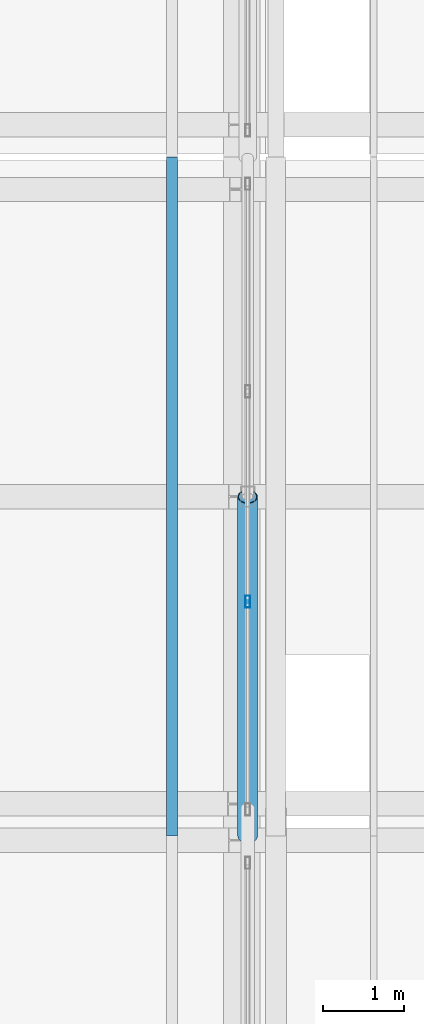
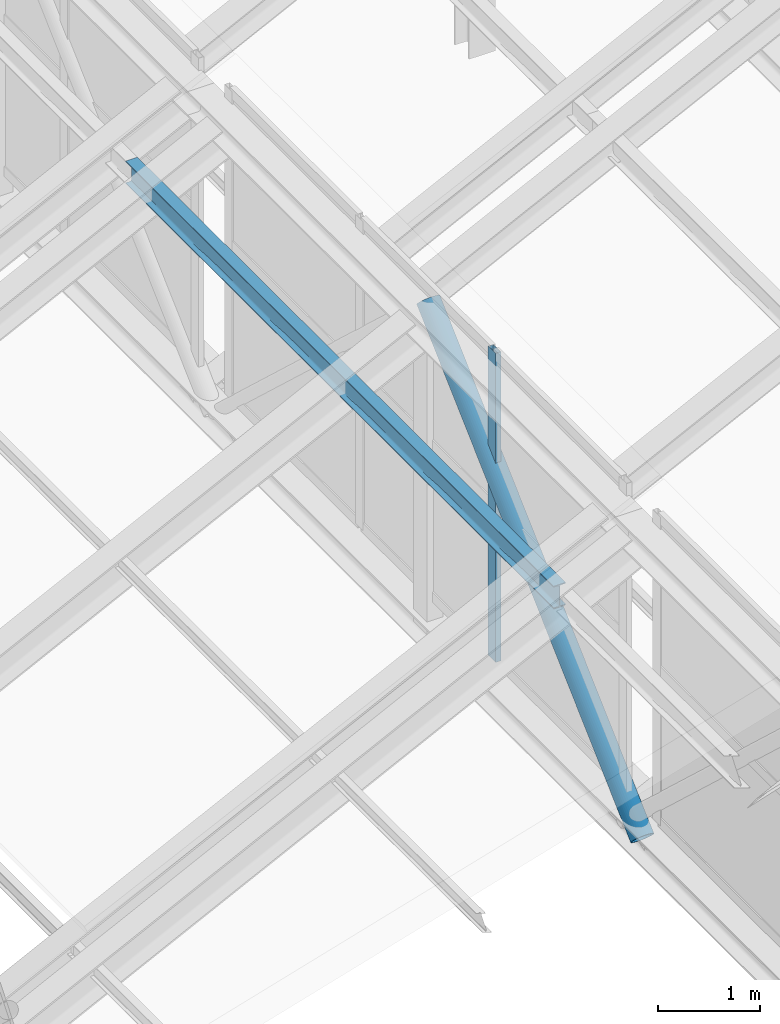
# One storey, part 35 of 101: 3 members, 1 element without a shape of its own.
"""IFC4 building model written with IfcOpenShell, lengths in metres."""

from ifc_helpers import new_model, si_unit, direction, frame, origin, origin_2d, place, context, subcontext, project, spatial, hollow_rectangle, hollow_circle, i_section, extrude, material, layer, layer_set, material_profile, profile_set, type_object, element, aggregate, save


model = new_model("IFC4")

# Units and contexts
model_context = context("Model", 3, precision=1e-05, world=origin(), true_north=direction((0.0, 1.0)))
body_context = subcontext(model_context, "Body", "Model", "MODEL_VIEW")
ifc_project = project(units=[si_unit("LENGTHUNIT", "METRE"), si_unit("AREAUNIT", "SQUARE_METRE"), si_unit("VOLUMEUNIT", "CUBIC_METRE"), si_unit("PLANEANGLEUNIT", "RADIAN"), si_unit("MASSUNIT", "GRAM", prefix="KILO")], contexts=[model_context])

# Site, building, storey
site_placement = place(None, origin())
site = spatial("IfcSite", under=ifc_project, at=site_placement, CompositionType="ELEMENT")
building_placement = place(site_placement, origin())
building = spatial("IfcBuilding", under=site, at=building_placement, Name="Zizhar Promenade General Hospital", CompositionType="ELEMENT")
storey_placement = place(building_placement, frame((0.0, 0.0, 14.39990234375)))
storey = spatial("IfcBuildingStorey", under=building, at=storey_placement, Name="L03", CompositionType="ELEMENT", Elevation=14.39990234375)

# Curtain wall, member
ifc_material_1 = material(Name="Anodised aluminium 6063-T6 and low-E glass", Category="aluminium")
ifc_layer = layer(ifc_material_1, 0.159912109375)
ifc_layer_set = layer_set([ifc_layer], Name="Anodised aluminium 6063-T6 and low-E glass")
curtain_wall_type = type_object("IfcCurtainWallType", Name="CW-SAW-NL2", PredefinedType="NOTDEFINED", material=ifc_layer_set)
curtain_wall_placement = place(storey_placement, origin())
curtain_wall = element("IfcCurtainWall", 1, at=curtain_wall_placement, inside=storey, type_object=curtain_wall_type, Name="Sawtooth Clerestory Light B5-S2", PredefinedType="NOTDEFINED")
ifc_material_2 = material(Name="Anodised aluminium 6063-T6", Category="aluminium")
ifc_material_profile_1 = material_profile(ifc_material_2, hollow_rectangle(XDim=0.06005859375, YDim=0.14990234375, WallThickness=0.00390625, at=origin_2d()))
ifc_profile_set_1 = profile_set([ifc_material_profile_1], Name="Anodised aluminium 6063-T6")
member_type_1 = type_object("IfcMemberType", Name="CWM-ALU-150x60", PredefinedType="MULLION", material=ifc_profile_set_1)
member_1_placement = place(storey_placement, frame((109.199951171875, 36.5, 3.85009765625), z_axis=(0.0, 0.0, 1.0), x_axis=(-1.0, 0.0, 0.0)))
member_1 = element("IfcMember", 2, at=member_1_placement, type_object=member_type_1, Name="CW-04 mullion 2", PredefinedType="MULLION", context=body_context, shape_type="SweptSolid", body=[
    extrude(hollow_rectangle(XDim=0.06005859375, YDim=0.14990234375, WallThickness=0.00390625, at=origin_2d()), origin(), (0.0, 0.0, 1.0), 3.699951171875),
])
aggregate(curtain_wall, [member_1])

# Members
ifc_material_3 = material(Name="Steel S355", Category="steel")
ifc_material_profile_2 = material_profile(ifc_material_3, hollow_circle(Radius=0.122314453125, WallThickness=0.010009765625, at=origin_2d()))
ifc_profile_set_2 = profile_set([ifc_material_profile_2], Name="Steel S355")
member_type_2 = type_object("IfcMemberType", Name="MEM-DIAG-CHS245", PredefinedType="BRACE", material=ifc_profile_set_2)
member_2_placement = place(storey_placement, frame((109.199951171875, 33.60009765625, 3.4501953125), z_axis=(0.0, 0.732798043082, 0.680446197767), x_axis=(-1.0, 0.0, 0.0)))
element("IfcMember", 3, at=member_2_placement, inside=storey, type_object=member_type_2, Name="Sawtooth Truss Frame 6 Diagonal A2", PredefinedType="BRACE", context=body_context, shape_type="SweptSolid", body=[
    extrude(hollow_circle(Radius=0.122314453125, WallThickness=0.010009765625, at=origin_2d()), origin(), (0.0, 0.0, 1.0), 5.7314453125),
])
ifc_material_4 = material(Name="Steel S355", Category="steel")
ifc_material_profile_3 = material_profile(ifc_material_4, i_section(OverallWidth=0.135009765625, OverallDepth=0.27001953125, WebThickness=0.006591796875, FlangeThickness=0.01025390625, FilletRadius=0.014892578125, at=origin_2d()))
ifc_profile_set_3 = profile_set([ifc_material_profile_3], Name="Steel S355")
member_type_3 = type_object("IfcMemberType", Name="MEM-PURL-IPE270", PredefinedType="PURLIN", material=ifc_profile_set_3)
member_3_placement = place(storey_placement, frame((108.263916015625, 33.60009765625, 6.68017578125), z_axis=(0.0, 1.0, 0.0), x_axis=(-1.0, 0.0, 0.0)))
element("IfcMember", 4, at=member_3_placement, inside=storey, type_object=member_type_3, Name="Sawtooth Bay 5 Purlin 2-3", PredefinedType="PURLIN", context=body_context, shape_type="SweptSolid", body=[
    extrude(i_section(OverallWidth=0.135009765625, OverallDepth=0.27001953125, WebThickness=0.006591796875, FlangeThickness=0.01025390625, FilletRadius=0.014892578125, at=origin_2d()), origin(), (0.0, 0.0, 1.0), 8.39990234375),
])

save(model, "model.ifc")
